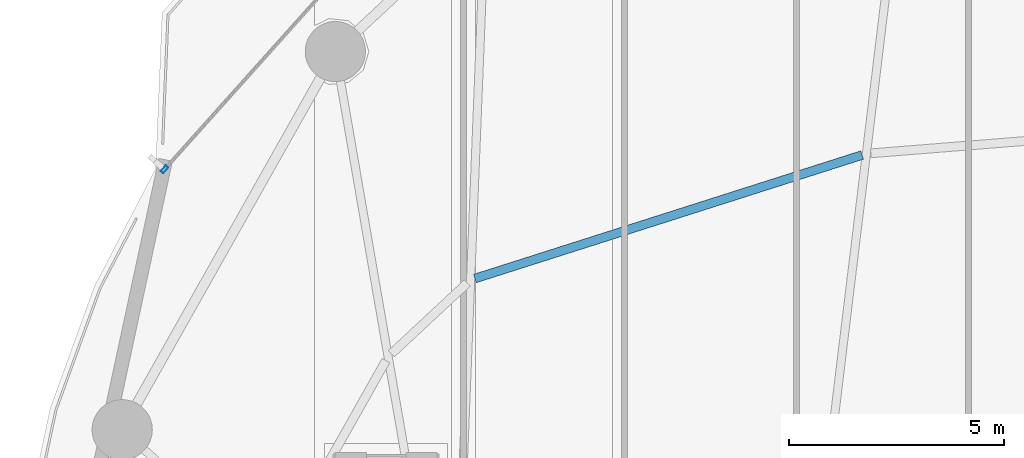
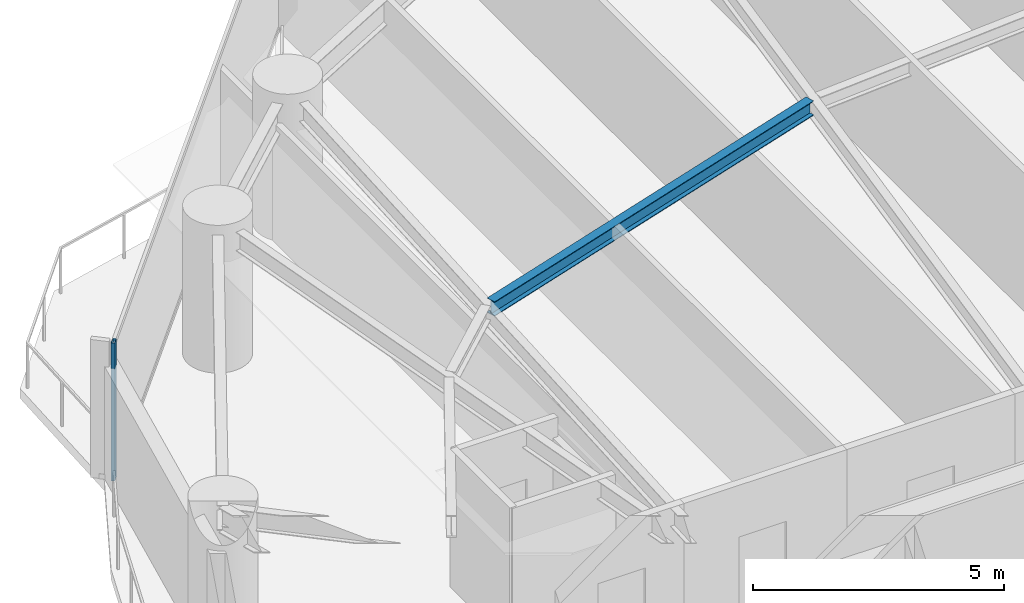
# One storey, part 17 of 31: 1 beam, 1 member, 1 element without a shape of its own.
"""IFC4 building model written with IfcOpenShell, lengths in metres."""

from ifc_helpers import new_model, si_unit, direction, frame, origin, origin_2d, place, context, subcontext, project, spatial, hollow_rectangle, i_section, extrude, material, layer, layer_set, material_profile, profile_set, type_object, element, aggregate, save


model = new_model("IFC4")

# Units and contexts
model_context = context("Model", 3, precision=1e-05, world=origin(), true_north=direction((0.0, 1.0)))
body_context = subcontext(model_context, "Body", "Model", "MODEL_VIEW")
ifc_project = project(units=[si_unit("LENGTHUNIT", "METRE"), si_unit("AREAUNIT", "SQUARE_METRE"), si_unit("VOLUMEUNIT", "CUBIC_METRE"), si_unit("PLANEANGLEUNIT", "RADIAN"), si_unit("MASSUNIT", "GRAM", prefix="KILO")], contexts=[model_context])

# Site, building, storey
site_placement = place(None, origin())
site = spatial("IfcSite", under=ifc_project, at=site_placement, CompositionType="ELEMENT")
building_placement = place(site_placement, origin())
building = spatial("IfcBuilding", under=site, at=building_placement, Name="Kazevale Care Tower and Concert Hall", CompositionType="ELEMENT")
storey_placement = place(building_placement, frame((0.0, 0.0, 81.60009765625)))
storey = spatial("IfcBuildingStorey", under=building, at=storey_placement, Name="L21", CompositionType="ELEMENT", Elevation=81.60009765625)

# Curtain wall, member
ifc_material_1 = material(Name="Aluminium 6063-T6 and Low-E Glass", Category="aluminium")
ifc_layer = layer(ifc_material_1, 0.179931640625)
ifc_layer_set = layer_set([ifc_layer], Name="Aluminium 6063-T6 and Low-E Glass")
curtain_wall_type = type_object("IfcCurtainWallType", Name="Convex Checkerboard Finned Curtain Wall CW-2", PredefinedType="NOTDEFINED", material=ifc_layer_set)
curtain_wall_placement = place(storey_placement, origin())
curtain_wall = element("IfcCurtainWall", 1, at=curtain_wall_placement, inside=storey, type_object=curtain_wall_type, Name="cw:L21:f14", PredefinedType="NOTDEFINED")
ifc_material_2 = material(Name="Aluminium 6063-T6", Category="aluminium")
ifc_material_profile_1 = material_profile(ifc_material_2, hollow_rectangle(XDim=0.080078125, YDim=0.179931640625, WallThickness=0.0048828125, at=origin_2d()), Name="ALU80x180x5")
ifc_profile_set_1 = profile_set([ifc_material_profile_1], Name="Aluminium 6063-T6")
member_type = type_object("IfcMemberType", Name="CW-2 Mullion ALU80x180x5", PredefinedType="MULLION", material=ifc_profile_set_1)
member_placement = place(storey_placement, frame((15.292724609375, 49.436767578125, 0.0), z_axis=(0.0, 0.0, 1.0), x_axis=(-0.744820476493, 0.667264908262, 0.0)))
member = element("IfcMember", 2, at=member_placement, type_object=member_type, Name="CW-2 mullion 1", PredefinedType="MULLION", context=body_context, shape_type="SweptSolid", body=[
    extrude(hollow_rectangle(XDim=0.080078125, YDim=0.179931640625, WallThickness=0.0048828125, at=origin_2d()), origin(), (0.0, 0.0, 1.0), 3.35986328125),
])
aggregate(curtain_wall, [member])

# Beam
ifc_material_3 = material(Name="Steel ASTM A572 Gr 50", Category="steel")
ifc_material_profile_2 = material_profile(ifc_material_3, i_section(OverallWidth=0.205078125, OverallDepth=0.35400390625, WebThickness=0.009521484375, FlangeThickness=0.016845703125, at=origin_2d()), Name="W360x79")
ifc_profile_set_2 = profile_set([ifc_material_profile_2], Name="Steel ASTM A572 Gr 50")
beam_type = type_object("IfcBeamType", Name="Secondary Floor Joist W360x79", PredefinedType="JOIST", material=ifc_profile_set_2)
beam_placement = place(storey_placement, frame((31.528076171875, 49.77197265625, 3.182861328125), z_axis=(-0.9527054955, -0.303895111584, 0.0), x_axis=(0.303895111584, -0.9527054955, 0.0)))
element("IfcBeam", 3, at=beam_placement, inside=storey, type_object=beam_type, Name="beam:L21:joist:06", PredefinedType="JOIST", context=body_context, shape_type="SweptSolid", body=[
    extrude(i_section(OverallWidth=0.205078125, OverallDepth=0.35400390625, WebThickness=0.009521484375, FlangeThickness=0.016845703125, at=origin_2d()), origin(), (0.0, 0.0, 1.0), 9.457275390625),
])

save(model, "model.ifc")
